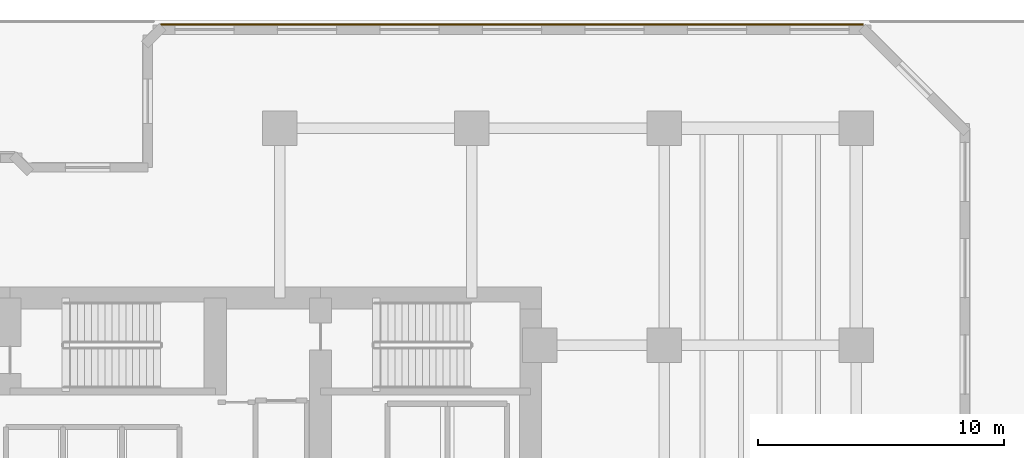
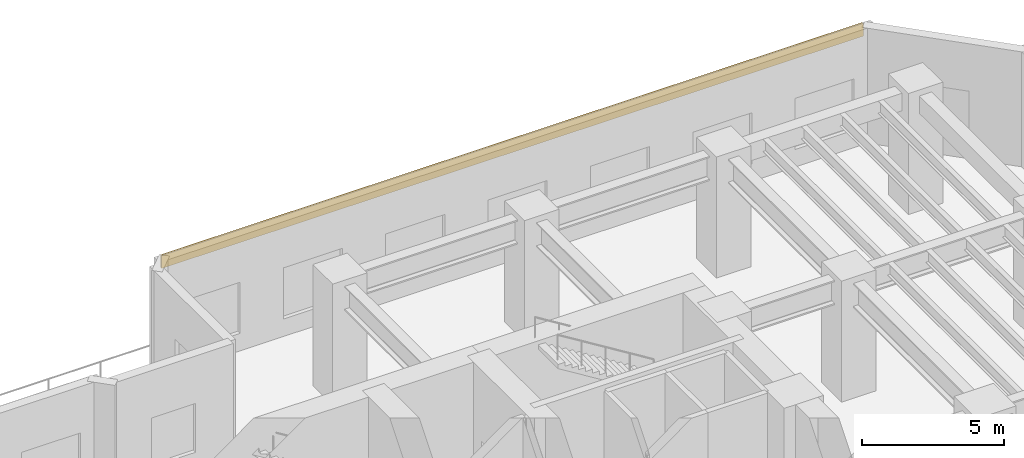
# One storey, part 13 of 13: 1 covering.
"""IFC4 building model written with IfcOpenShell, lengths in metres."""

from ifc_helpers import new_model, si_unit, direction, frame, origin, origin_2d, place, context, subcontext, project, spatial, rectangle, extrude, material, layer, layer_set, type_object, element, save


model = new_model("IFC4")

# Units and contexts
model_context = context("Model", 3, precision=1e-05, world=origin(), true_north=direction((0.0, 1.0)))
body_context = subcontext(model_context, "Body", "Model", "MODEL_VIEW")
ifc_project = project(units=[si_unit("LENGTHUNIT", "METRE"), si_unit("AREAUNIT", "SQUARE_METRE"), si_unit("VOLUMEUNIT", "CUBIC_METRE"), si_unit("PLANEANGLEUNIT", "RADIAN"), si_unit("MASSUNIT", "GRAM", prefix="KILO")], contexts=[model_context])

# Site, building, storey
site_placement = place(None, origin())
site = spatial("IfcSite", under=ifc_project, at=site_placement, CompositionType="ELEMENT")
building_placement = place(site_placement, origin())
building = spatial("IfcBuilding", under=site, at=building_placement, Name="Kestravale Grand Hotel", CompositionType="ELEMENT")
storey_placement = place(building_placement, frame((0.0, 0.0, 20.800048828125)))
storey = spatial("IfcBuildingStorey", under=building, at=storey_placement, Name="L04", CompositionType="ELEMENT", Elevation=20.800048828125)

# Covering
ifc_material = material(Name="Warm limestone-toned fluted architectural precast cladding", Category="masonry")
ifc_layer = layer(ifc_material, 0.074951171875)
ifc_layer_set = layer_set([ifc_layer], Name="COV-CLAD-LIM")
covering_type = type_object("IfcCoveringType", Name="COV-CLAD-LIM", PredefinedType="CLADDING", material=ifc_layer_set)
covering_placement = place(storey_placement, frame((56.22509765625, 51.4150390625, 4.36474609375), z_axis=(0.0, 0.0, 1.0), x_axis=(-1.0, 0.0, 0.0)))
element("IfcCovering", 1, at=covering_placement, inside=storey, type_object=covering_type, Name="L04 fluted limestone spandrel cladding 11", PredefinedType="CLADDING", context=body_context, shape_type="SweptSolid", body=[
    extrude(rectangle(XDim=28.530029296875, YDim=0.074951171875, at=origin_2d()), origin(), (0.0, 0.0, 1.0), 0.550048828125),
])

save(model, "model.ifc")
